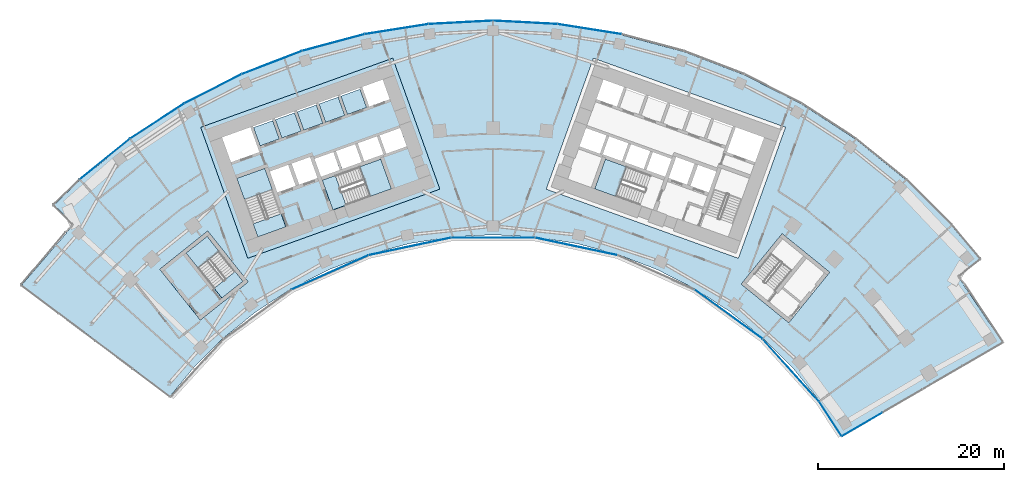
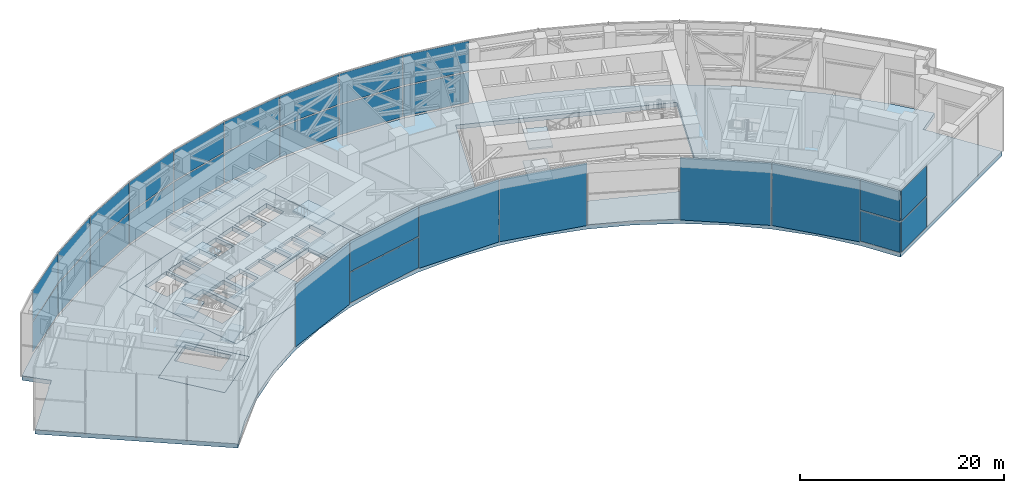
# One storey, part 16 of 30: 29 plates, 19 slabs, 7 elements without a shape of their own.
"""IFC4 building model written with IfcOpenShell, lengths in metres."""

import ifcopenshell
import ifcopenshell.guid

model = None  # the IFC model being written
_history = None  # IfcOwnerHistory: only IFC2X3 demands one
_inside = {}  # id of a spatial element -> (the spatial element, [elements in it])
_under = {}  # id of a project, library or spatial element -> (it, [spatial elements below it])
_declared = {}  # id of a project -> (the project, [libraries it declares])
_typed = {}  # id of a type object -> (the type object, [elements of that type])
_made_of = {}  # id of a material, layer set ... -> (it, [elements and type objects made of it])


def new_model(schema):
    """Start an empty IFC model of exactly this schema.

    Asked for "IFC4X3", IfcOpenShell would pick the latest addendum, in which some entities
    have other attributes; the version numbers below select the first issue.
    IFC2X3 requires an IfcOwnerHistory on every rooted entity: one is made here for all.
    """
    global model, _history
    if schema == "IFC4X3":
        model = ifcopenshell.file(schema_version=(4, 3, 0, 0))
    else:
        model = ifcopenshell.file(schema=schema)
    _inside.clear()
    _under.clear()
    _declared.clear()
    _typed.clear()
    _made_of.clear()
    _history = None
    if model.schema == "IFC2X3":
        org = make("IfcOrganization", Name="unknown")
        user = make(
            "IfcPersonAndOrganization",
            ThePerson=make("IfcPerson", FamilyName="unknown"),
            TheOrganization=org,
        )
        app = make(
            "IfcApplication",
            ApplicationDeveloper=org,
            Version="unknown",
            ApplicationFullName="unknown",
            ApplicationIdentifier="unknown",
        )
        _history = make(
            "IfcOwnerHistory",
            OwningUser=user,
            OwningApplication=app,
            ChangeAction="ADDED",
            CreationDate=0,
        )
    return model


def make(cls, **values):
    """One entity of the class cls with the attributes given. An attribute that is None is left unset."""
    return model.create_entity(
        cls, **{name: value for name, value in values.items() if value is not None}
    )


def rooted(cls, **values):
    """An entity with a GlobalId (a new one), such as an element, a storey or a relation."""
    return make(cls, GlobalId=ifcopenshell.guid.new(), OwnerHistory=_history, **values)


def si_unit(unit_type, name, prefix=None):
    """IfcSIUnit, for example si_unit("LENGTHUNIT", "METRE", prefix="MILLI")."""
    return make("IfcSIUnit", UnitType=unit_type, Prefix=prefix, Name=name)


def assignment(units):
    """IfcUnitAssignment: the units of a project."""
    return None if units is None else make("IfcUnitAssignment", Units=units)


def point(xyz):
    """IfcCartesianPoint."""
    return None if xyz is None else make("IfcCartesianPoint", Coordinates=xyz)


def direction(xyz):
    """IfcDirection."""
    return None if xyz is None else make("IfcDirection", DirectionRatios=xyz)


def frame(location, z_axis=None, x_axis=None):
    """IfcAxis2Placement3D, a coordinate frame: its origin and axes. An axis left out is left unset."""
    return make(
        "IfcAxis2Placement3D",
        Location=point(location),
        Axis=direction(z_axis),
        RefDirection=direction(x_axis),
    )


def frame_2d(location, x_axis=None):
    """IfcAxis2Placement2D, a coordinate frame in the plane: its origin and x axis."""
    return make(
        "IfcAxis2Placement2D", Location=point(location), RefDirection=direction(x_axis)
    )


def origin():
    """The frame at (0, 0, 0) with its axes left unset."""
    return frame((0.0, 0.0, 0.0))


def origin_2d():
    """The frame at (0, 0) in the plane with its x axis left unset."""
    return frame_2d((0.0, 0.0))


def place(relative_to, where):
    """IfcLocalPlacement: puts the frame where relative to a parent placement (None: the world)."""
    return make(
        "IfcLocalPlacement", PlacementRelTo=relative_to, RelativePlacement=where
    )


def context(
    kind, dimensions, precision=None, world=None, true_north=None, identifier=None
):
    """IfcGeometricRepresentationContext, for example the 3D "Model" context."""
    return make(
        "IfcGeometricRepresentationContext",
        ContextIdentifier=identifier,
        ContextType=kind,
        CoordinateSpaceDimension=dimensions,
        Precision=precision,
        WorldCoordinateSystem=world,
        TrueNorth=true_north,
    )


def subcontext(parent, identifier, kind, view, scale=None):
    """IfcGeometricRepresentationSubContext, for example "Body" below "Model"."""
    return make(
        "IfcGeometricRepresentationSubContext",
        ContextIdentifier=identifier,
        ContextType=kind,
        ParentContext=parent,
        TargetScale=scale,
        TargetView=view,
    )


def project(units=None, contexts=None):
    """IfcProject with its units and contexts."""
    return rooted(
        "IfcProject",
        Name="project",
        RepresentationContexts=contexts,
        UnitsInContext=assignment(units),
    )


def spatial(cls, under=None, at=None, **own):
    """A site, building, storey or space (cls), placed at a placement, below another one or the project."""
    s = rooted(cls, ObjectPlacement=at, **own)
    if under is not None:
        _under.setdefault(under.id(), (under, []))[1].append(s)
    return s


def polyline(points):
    """IfcPolyline through the points."""
    return make("IfcPolyline", Points=[point(p) for p in points])


def profile(cls, at=None, kind="AREA", **sizes):
    """A parametric profile (cls). Its sizes go by their IFC names, for example OverallWidth=200.0."""
    return make(cls, ProfileType=kind, Position=at, **sizes)


def rectangle(**sizes):
    """IfcRectangleProfileDef."""
    return profile("IfcRectangleProfileDef", **sizes)


def outline(outer, holes=None, kind="AREA"):
    """IfcArbitraryClosedProfileDef: a profile drawn as a closed curve; with holes, ...WithVoids."""
    if holes is None:
        return make("IfcArbitraryClosedProfileDef", ProfileType=kind, OuterCurve=outer)
    return make(
        "IfcArbitraryProfileDefWithVoids",
        ProfileType=kind,
        OuterCurve=outer,
        InnerCurves=holes,
    )


def extrude(swept, where, along, depth):
    """IfcExtrudedAreaSolid: the profile swept, set in the frame where, extruded along a direction by depth."""
    return make(
        "IfcExtrudedAreaSolid",
        SweptArea=swept,
        Position=where,
        ExtrudedDirection=direction(along),
        Depth=depth,
    )


def shape(context_of_items, identifier, shape_type, items):
    """IfcShapeRepresentation: the items that make up one representation, for example the "Body"."""
    return make(
        "IfcShapeRepresentation",
        ContextOfItems=context_of_items,
        RepresentationIdentifier=identifier,
        RepresentationType=shape_type,
        Items=items,
    )


def material(Name=None, Category=None):
    """IfcMaterial."""
    return make("IfcMaterial", Name=Name, Category=Category)


def layer(
    of_material, thickness, ventilated=None, Name=None, Category=None, Priority=None
):
    """IfcMaterialLayer: one layer of a wall or slab, of a material (None: an air gap)."""
    return make(
        "IfcMaterialLayer",
        Material=of_material,
        LayerThickness=thickness,
        IsVentilated=ventilated,
        Name=Name,
        Category=Category,
        Priority=Priority,
    )


def layer_set(layers, Name=None):
    """IfcMaterialLayerSet."""
    return make("IfcMaterialLayerSet", MaterialLayers=layers, LayerSetName=Name)


def made_of(thing, what):
    """Note that an element or type object is made of a material, layer set ...; save() writes the relation."""
    if what is not None:
        _made_of.setdefault(what.id(), (what, []))[1].append(thing)
    return thing


def type_object(cls, material=None, **own):
    """A type object (cls), such as IfcWallType, which elements share."""
    return made_of(rooted(cls, **own), material)


def element(
    cls,
    number,
    at=None,
    inside=None,
    cuts=None,
    type_object=None,
    material=None,
    context=None,
    identifier="Body",
    shape_type=None,
    held_by="IfcProductDefinitionShape",
    body=None,
    shapes=None,
    **own,
):
    """One element of the class cls, such as IfcWall. Its Tag is "e" and its number.

    at: its placement. inside: the storey or other place that contains it. cuts: it is an
    opening in that element (IfcRelVoidsElement). A single representation is given by context,
    identifier, shape_type and body (its items); several are given by shapes. held_by: the class
    of the entity that holds the representations. save() writes the other relations.
    """
    e = rooted(cls, Tag="e%d" % number, ObjectPlacement=at, **own)
    if body is not None:
        shapes = [shape(context, identifier, shape_type, body)]
    if shapes is not None:
        e.Representation = make(held_by, Representations=shapes)
    if inside is not None:
        _inside.setdefault(inside.id(), (inside, []))[1].append(e)
    if cuts is not None:
        rooted(
            "IfcRelVoidsElement", RelatingBuildingElement=cuts, RelatedOpeningElement=e
        )
    if type_object is not None:
        _typed.setdefault(type_object.id(), (type_object, []))[1].append(e)
    return made_of(e, material)


def aggregate(whole, parts):
    """IfcRelAggregates: a whole, such as a stair, and the parts it consists of."""
    return rooted("IfcRelAggregates", RelatingObject=whole, RelatedObjects=parts)


def save(model, path):
    """Write the relations noted so far, then the file.

    IfcRelAggregates (storeys below a building ...), IfcRelContainedInSpatialStructure (elements
    in a storey), IfcRelDefinesByType, IfcRelAssociatesMaterial and IfcRelDeclares: one each for
    every whole, place, type object, material and project.
    """
    for whole, parts in _under.values():
        aggregate(whole, parts)
    for where, things in _inside.values():
        rooted(
            "IfcRelContainedInSpatialStructure",
            RelatedElements=things,
            RelatingStructure=where,
        )
    for kind, things in _typed.values():
        rooted("IfcRelDefinesByType", RelatedObjects=things, RelatingType=kind)
    for what, things in _made_of.values():
        rooted("IfcRelAssociatesMaterial", RelatedObjects=things, RelatingMaterial=what)
    for by, libraries in _declared.values():
        rooted("IfcRelDeclares", RelatingContext=by, RelatedDefinitions=libraries)
    model.write(path)


model = new_model("IFC4")

# Units and contexts
model_context = context("Model", 3, precision=1e-05, world=origin(), true_north=direction((0.0, 1.0)))
body_context = subcontext(model_context, "Body", "Model", "MODEL_VIEW")
ifc_project = project(units=[si_unit("LENGTHUNIT", "METRE"), si_unit("AREAUNIT", "SQUARE_METRE"), si_unit("VOLUMEUNIT", "CUBIC_METRE"), si_unit("PLANEANGLEUNIT", "RADIAN"), si_unit("MASSUNIT", "GRAM", prefix="KILO")], contexts=[model_context])

# Site, building, storey
site_placement = place(None, origin())
site = spatial("IfcSite", under=ifc_project, at=site_placement, CompositionType="ELEMENT")
building_placement = place(site_placement, origin())
building = spatial("IfcBuilding", under=site, at=building_placement, Name="Stone Belt Terrace Tower", CompositionType="ELEMENT")
storey_placement = place(building_placement, frame((0.0, 0.0, 136.39990234375)))
storey = spatial("IfcBuildingStorey", under=building, at=storey_placement, Name="L33", CompositionType="ELEMENT", Elevation=136.39990234375)

# Curtain wall, plates
ifc_material_1 = material(Name="Aluminium 6063-T6 anodised frame", Category="aluminium")
ifc_layer_1 = layer(ifc_material_1, 0.14990234375)
ifc_layer_set_1 = layer_set([ifc_layer_1], Name="CW-A unitised convex-face curtain wall")
curtain_wall_type_1 = type_object("IfcCurtainWallType", Name="CW-A unitised convex-face curtain wall", PredefinedType="NOTDEFINED", material=ifc_layer_set_1)
curtain_wall_1_placement = place(storey_placement, origin())
curtain_wall_1 = element("IfcCurtainWall", 1, at=curtain_wall_1_placement, inside=storey, type_object=curtain_wall_type_1, Name="CW-A convex face L33", PredefinedType="NOTDEFINED")
ifc_material_2 = material(Name="Terracotta coloured glazed ceramic", Category="masonry")
ifc_layer_2 = layer(ifc_material_2, 0.031982421875)
ifc_layer_set_2 = layer_set([ifc_layer_2], Name="CW-A ceramic louvre panel 32")
plate_type_1 = type_object("IfcPlateType", Name="CW-A ceramic louvre panel 32", PredefinedType="CURTAIN_PANEL", material=ifc_layer_set_2)
plate_1_placement = place(storey_placement, frame((10.400390625, 65.665283203125, 0.14013671875), z_axis=(0.0, 0.0, 1.0), x_axis=(-0.987688340595, 0.15643446504, 0.0)))
plate_1 = element("IfcPlate", 2, at=plate_1_placement, type_object=plate_type_1, Name="CW-A louvre panel 8.1", PredefinedType="CURTAIN_PANEL", context=body_context, shape_type="SweptSolid", body=[
    extrude(rectangle(XDim=6.90087890625, YDim=0.031982421875, at=origin_2d()), origin(), (0.0, 0.0, 1.0), 3.590087890625),
])
plate_2_placement = place(storey_placement, frame((10.400390625, 65.665283203125, 3.8701171875), z_axis=(0.0, 0.0, 1.0), x_axis=(-0.987688340595, 0.15643446504, 0.0)))
plate_2 = element("IfcPlate", 3, at=plate_2_placement, type_object=plate_type_1, Name="CW-A louvre panel 8.2", PredefinedType="CURTAIN_PANEL", context=body_context, shape_type="SweptSolid", body=[
    extrude(rectangle(XDim=6.90087890625, YDim=0.031982421875, at=origin_2d()), origin(), (0.0, 0.0, 1.0), 3.590087890625),
])
plate_3_placement = place(storey_placement, frame((3.4794921875, 66.392822265625, 0.14013671875), z_axis=(0.0, 0.0, 1.0), x_axis=(-0.998629534755, 0.052335956243, 0.0)))
plate_3 = element("IfcPlate", 4, at=plate_3_placement, type_object=plate_type_1, Name="CW-A louvre panel 9.1", PredefinedType="CURTAIN_PANEL", context=body_context, shape_type="SweptSolid", body=[
    extrude(rectangle(XDim=6.90087890625, YDim=0.031982421875, at=origin_2d()), origin(), (0.0, 0.0, 1.0), 3.590087890625),
])
plate_4_placement = place(storey_placement, frame((3.4794921875, 66.392822265625, 3.8701171875), z_axis=(0.0, 0.0, 1.0), x_axis=(-0.998629534755, 0.052335956243, 0.0)))
plate_4 = element("IfcPlate", 5, at=plate_4_placement, type_object=plate_type_1, Name="CW-A louvre panel 9.2", PredefinedType="CURTAIN_PANEL", context=body_context, shape_type="SweptSolid", body=[
    extrude(rectangle(XDim=6.90087890625, YDim=0.031982421875, at=origin_2d()), origin(), (0.0, 0.0, 1.0), 3.590087890625),
])
plate_5_placement = place(storey_placement, frame((-3.4794921875, 66.392822265625, 0.14013671875), z_axis=(0.0, 0.0, 1.0), x_axis=(-0.998629534755, -0.052335956243, 0.0)))
plate_5 = element("IfcPlate", 6, at=plate_5_placement, type_object=plate_type_1, Name="CW-A louvre panel 10.1", PredefinedType="CURTAIN_PANEL", context=body_context, shape_type="SweptSolid", body=[
    extrude(rectangle(XDim=6.90087890625, YDim=0.031982421875, at=origin_2d()), origin(), (0.0, 0.0, 1.0), 3.590087890625),
])
plate_6_placement = place(storey_placement, frame((-3.4794921875, 66.392822265625, 3.8701171875), z_axis=(0.0, 0.0, 1.0), x_axis=(-0.998629534755, -0.052335956243, 0.0)))
plate_6 = element("IfcPlate", 7, at=plate_6_placement, type_object=plate_type_1, Name="CW-A louvre panel 10.2", PredefinedType="CURTAIN_PANEL", context=body_context, shape_type="SweptSolid", body=[
    extrude(rectangle(XDim=6.90087890625, YDim=0.031982421875, at=origin_2d()), origin(), (0.0, 0.0, 1.0), 3.590087890625),
])
plate_7_placement = place(storey_placement, frame((-10.400390625, 65.665283203125, 0.14013671875), z_axis=(0.0, 0.0, 1.0), x_axis=(-0.987688340595, -0.15643446504, 0.0)))
plate_7 = element("IfcPlate", 8, at=plate_7_placement, type_object=plate_type_1, Name="CW-A louvre panel 11.1", PredefinedType="CURTAIN_PANEL", context=body_context, shape_type="SweptSolid", body=[
    extrude(rectangle(XDim=6.90087890625, YDim=0.031982421875, at=origin_2d()), origin(), (0.0, 0.0, 1.0), 3.590087890625),
])
plate_8_placement = place(storey_placement, frame((-10.400390625, 65.665283203125, 3.8701171875), z_axis=(0.0, 0.0, 1.0), x_axis=(-0.987688340595, -0.15643446504, 0.0)))
plate_8 = element("IfcPlate", 9, at=plate_8_placement, type_object=plate_type_1, Name="CW-A louvre panel 11.2", PredefinedType="CURTAIN_PANEL", context=body_context, shape_type="SweptSolid", body=[
    extrude(rectangle(XDim=6.90087890625, YDim=0.031982421875, at=origin_2d()), origin(), (0.0, 0.0, 1.0), 3.590087890625),
])
plate_9_placement = place(storey_placement, frame((-17.207275390625, 64.218505859375, 0.14013671875), z_axis=(0.0, 0.0, 1.0), x_axis=(-0.965925826289, -0.258819045103, 0.0)))
plate_9 = element("IfcPlate", 10, at=plate_9_placement, type_object=plate_type_1, Name="CW-A louvre panel 12.1", PredefinedType="CURTAIN_PANEL", context=body_context, shape_type="SweptSolid", body=[
    extrude(rectangle(XDim=6.90087890625, YDim=0.031982421875, at=origin_2d()), origin(), (0.0, 0.0, 1.0), 3.590087890625),
])
plate_10_placement = place(storey_placement, frame((-17.207275390625, 64.218505859375, 3.8701171875), z_axis=(0.0, 0.0, 1.0), x_axis=(-0.965925826289, -0.258819045103, 0.0)))
plate_10 = element("IfcPlate", 11, at=plate_10_placement, type_object=plate_type_1, Name="CW-A louvre panel 12.2", PredefinedType="CURTAIN_PANEL", context=body_context, shape_type="SweptSolid", body=[
    extrude(rectangle(XDim=6.90087890625, YDim=0.031982421875, at=origin_2d()), origin(), (0.0, 0.0, 1.0), 3.590087890625),
])
plate_11_placement = place(storey_placement, frame((-23.82568359375, 62.068115234375, 0.14013671875), z_axis=(0.0, 0.0, 1.0), x_axis=(-0.933580426497, -0.358367949545, 0.0)))
plate_11 = element("IfcPlate", 12, at=plate_11_placement, type_object=plate_type_1, Name="CW-A louvre panel 13.1", PredefinedType="CURTAIN_PANEL", context=body_context, shape_type="SweptSolid", body=[
    extrude(rectangle(XDim=6.90087890625, YDim=0.031982421875, at=origin_2d()), origin(), (0.0, 0.0, 1.0), 3.590087890625),
])
plate_12_placement = place(storey_placement, frame((-23.82568359375, 62.068115234375, 3.8701171875), z_axis=(0.0, 0.0, 1.0), x_axis=(-0.933580426497, -0.358367949545, 0.0)))
plate_12 = element("IfcPlate", 13, at=plate_12_placement, type_object=plate_type_1, Name="CW-A louvre panel 13.2", PredefinedType="CURTAIN_PANEL", context=body_context, shape_type="SweptSolid", body=[
    extrude(rectangle(XDim=6.90087890625, YDim=0.031982421875, at=origin_2d()), origin(), (0.0, 0.0, 1.0), 3.590087890625),
])
plate_13_placement = place(storey_placement, frame((-30.18310546875, 59.237548828125, 0.14013671875), z_axis=(0.0, 0.0, 1.0), x_axis=(-0.891006524188, -0.45399049974, 0.0)))
plate_13 = element("IfcPlate", 14, at=plate_13_placement, type_object=plate_type_1, Name="CW-A louvre panel 14.1", PredefinedType="CURTAIN_PANEL", context=body_context, shape_type="SweptSolid", body=[
    extrude(rectangle(XDim=6.90087890625, YDim=0.031982421875, at=origin_2d()), origin(), (0.0, 0.0, 1.0), 3.590087890625),
])
plate_14_placement = place(storey_placement, frame((-30.18310546875, 59.237548828125, 3.8701171875), z_axis=(0.0, 0.0, 1.0), x_axis=(-0.891006524188, -0.45399049974, 0.0)))
plate_14 = element("IfcPlate", 15, at=plate_14_placement, type_object=plate_type_1, Name="CW-A louvre panel 14.2", PredefinedType="CURTAIN_PANEL", context=body_context, shape_type="SweptSolid", body=[
    extrude(rectangle(XDim=6.90087890625, YDim=0.031982421875, at=origin_2d()), origin(), (0.0, 0.0, 1.0), 3.590087890625),
])
plate_15_placement = place(storey_placement, frame((-36.209716796875, 55.758056640625, 0.14013671875), z_axis=(0.0, 0.0, 1.0), x_axis=(-0.838670567945, -0.544639035015, 0.0)))
plate_15 = element("IfcPlate", 16, at=plate_15_placement, type_object=plate_type_1, Name="CW-A louvre panel 15.1", PredefinedType="CURTAIN_PANEL", context=body_context, shape_type="SweptSolid", body=[
    extrude(rectangle(XDim=6.90087890625, YDim=0.031982421875, at=origin_2d()), origin(), (0.0, 0.0, 1.0), 3.590087890625),
])
plate_16_placement = place(storey_placement, frame((-36.209716796875, 55.758056640625, 3.8701171875), z_axis=(0.0, 0.0, 1.0), x_axis=(-0.838670567945, -0.544639035015, 0.0)))
plate_16 = element("IfcPlate", 17, at=plate_16_placement, type_object=plate_type_1, Name="CW-A louvre panel 15.2", PredefinedType="CURTAIN_PANEL", context=body_context, shape_type="SweptSolid", body=[
    extrude(rectangle(XDim=6.90087890625, YDim=0.031982421875, at=origin_2d()), origin(), (0.0, 0.0, 1.0), 3.590087890625),
])
plate_17_placement = place(storey_placement, frame((-41.839599609375, 51.667724609375, 0.14013671875), z_axis=(0.0, 0.0, 1.0), x_axis=(-0.777145961457, -0.62932039105, 0.0)))
plate_17 = element("IfcPlate", 18, at=plate_17_placement, type_object=plate_type_1, Name="CW-A louvre panel 16.1", PredefinedType="CURTAIN_PANEL", context=body_context, shape_type="SweptSolid", body=[
    extrude(rectangle(XDim=6.900634765625, YDim=0.031982421875, at=origin_2d()), origin(), (0.0, 0.0, 1.0), 3.590087890625),
])
plate_18_placement = place(storey_placement, frame((-41.839599609375, 51.667724609375, 3.8701171875), z_axis=(0.0, 0.0, 1.0), x_axis=(-0.777145961457, -0.62932039105, 0.0)))
plate_18 = element("IfcPlate", 19, at=plate_18_placement, type_object=plate_type_1, Name="CW-A louvre panel 16.2", PredefinedType="CURTAIN_PANEL", context=body_context, shape_type="SweptSolid", body=[
    extrude(rectangle(XDim=6.900634765625, YDim=0.031982421875, at=origin_2d()), origin(), (0.0, 0.0, 1.0), 3.590087890625),
])
aggregate(curtain_wall_1, [plate_1, plate_2, plate_3, plate_4, plate_5, plate_6, plate_7, plate_8, plate_9, plate_10, plate_11, plate_12, plate_13, plate_14, plate_15, plate_16, plate_17, plate_18])

ifc_layer_3 = layer(ifc_material_1, 0.14990234375)
ifc_layer_set_3 = layer_set([ifc_layer_3], Name="CW-B unitised concave-face curtain wall")
curtain_wall_type_2 = type_object("IfcCurtainWallType", Name="CW-B unitised concave-face curtain wall", PredefinedType="NOTDEFINED", material=ifc_layer_set_3)
curtain_wall_2_placement = place(storey_placement, origin())
curtain_wall_2 = element("IfcCurtainWall", 20, at=curtain_wall_2_placement, inside=storey, type_object=curtain_wall_type_2, Name="CW-B concave face L33", PredefinedType="NOTDEFINED")
ifc_layer_4 = layer(ifc_material_2, 0.030029296875)
ifc_layer_set_4 = layer_set([ifc_layer_4], Name="CW-B ceramic louvre panel 30")
plate_type_2 = type_object("IfcPlateType", Name="CW-B ceramic louvre panel 30", PredefinedType="CURTAIN_PANEL", material=ifc_layer_set_4)
plate_19_placement = place(storey_placement, frame((-17.565673828125, 39.453125, 0.0), z_axis=(0.0, 0.0, 1.0), x_axis=(0.913545457643, 0.406736643076, 0.0)))
plate_19 = element("IfcPlate", 21, at=plate_19_placement, type_object=plate_type_2, Name="CW-B louvre panel 3.1", PredefinedType="CURTAIN_PANEL", context=body_context, shape_type="SweptSolid", body=[
    extrude(rectangle(XDim=9.0126953125, YDim=0.030029296875, at=origin_2d()), origin(), (0.0, 0.0, 1.0), 7.47998046875),
])
plate_20_placement = place(storey_placement, frame((-8.97900390625, 42.242919921875, 0.1201171875), z_axis=(0.0, 0.0, 1.0), x_axis=(0.978147600734, 0.207911690818, 0.0)))
plate_20 = element("IfcPlate", 22, at=plate_20_placement, type_object=plate_type_2, Name="CW-B louvre panel 4.1", PredefinedType="CURTAIN_PANEL", context=body_context, shape_type="SweptSolid", body=[
    extrude(rectangle(XDim=9.0126953125, YDim=0.030029296875, at=origin_2d()), origin(), (0.0, 0.0, 1.0), 3.6201171875),
])
plate_21_placement = place(storey_placement, frame((-8.97900390625, 42.242919921875, 3.860107421875), z_axis=(0.0, 0.0, 1.0), x_axis=(0.978147600734, 0.207911690818, 0.0)))
plate_21 = element("IfcPlate", 23, at=plate_21_placement, type_object=plate_type_2, Name="CW-B louvre panel 4.2", PredefinedType="CURTAIN_PANEL", context=body_context, shape_type="SweptSolid", body=[
    extrude(rectangle(XDim=9.0126953125, YDim=0.030029296875, at=origin_2d()), origin(), (0.0, 0.0, 1.0), 3.6201171875),
])
plate_22_placement = place(storey_placement, frame((0.0, 43.186767578125, 0.0), z_axis=(0.0, 0.0, 1.0), x_axis=(1.0, 0.0, 0.0)))
plate_22 = element("IfcPlate", 24, at=plate_22_placement, type_object=plate_type_2, Name="CW-B louvre panel 5.1", PredefinedType="CURTAIN_PANEL", context=body_context, shape_type="SweptSolid", body=[
    extrude(rectangle(XDim=9.0126953125, YDim=0.030029296875, at=origin_2d()), origin(), (0.0, 0.0, 1.0), 7.47998046875),
])
plate_23_placement = place(storey_placement, frame((8.97900390625, 42.242919921875, 0.0), z_axis=(0.0, 0.0, 1.0), x_axis=(0.978147600734, -0.207911690818, 0.0)))
plate_23 = element("IfcPlate", 25, at=plate_23_placement, type_object=plate_type_2, Name="CW-B louvre panel 6.1", PredefinedType="CURTAIN_PANEL", context=body_context, shape_type="SweptSolid", body=[
    extrude(rectangle(XDim=9.0126953125, YDim=0.030029296875, at=origin_2d()), origin(), (0.0, 0.0, 1.0), 7.47998046875),
])
plate_24_placement = place(storey_placement, frame((25.384521484375, 34.938720703125, 0.0), z_axis=(0.0, 0.0, 1.0), x_axis=(0.809016994375, -0.587785252292, 0.0)))
plate_24 = element("IfcPlate", 26, at=plate_24_placement, type_object=plate_type_2, Name="CW-B louvre panel 8.1", PredefinedType="CURTAIN_PANEL", context=body_context, shape_type="SweptSolid", body=[
    extrude(rectangle(XDim=9.0126953125, YDim=0.030029296875, at=origin_2d()), origin(), (0.0, 0.0, 1.0), 7.47998046875),
])
plate_25_placement = place(storey_placement, frame((32.09521484375, 28.89599609375, 0.0), z_axis=(0.0, 0.0, 1.0), x_axis=(0.669130606359, -0.743144825477, 0.0)))
plate_25 = element("IfcPlate", 27, at=plate_25_placement, type_object=plate_type_2, Name="CW-B louvre panel 9.1", PredefinedType="CURTAIN_PANEL", context=body_context, shape_type="SweptSolid", body=[
    extrude(rectangle(XDim=9.016845703125, YDim=0.030029296875, at=origin_2d()), origin(), (0.0, 0.0, 1.0), 7.47998046875),
])
plate_26_placement = place(storey_placement, frame((36.3408203125, 23.66943359375, 0.1201171875), z_axis=(0.0, 0.0, 1.0), x_axis=(0.546131502436, -0.837699458068, 0.0)))
plate_26 = element("IfcPlate", 28, at=plate_26_placement, type_object=plate_type_2, Name="CW-B louvre panel 10.1", PredefinedType="CURTAIN_PANEL", context=body_context, shape_type="SweptSolid", body=[
    extrude(rectangle(XDim=4.363525390625, YDim=0.030029296875, at=origin_2d()), origin(), (0.0, 0.0, 1.0), 3.6201171875),
])
plate_27_placement = place(storey_placement, frame((36.3408203125, 23.66943359375, 3.860107421875), z_axis=(0.0, 0.0, 1.0), x_axis=(0.546131502436, -0.837699458068, 0.0)))
plate_27 = element("IfcPlate", 29, at=plate_27_placement, type_object=plate_type_2, Name="CW-B louvre panel 10.2", PredefinedType="CURTAIN_PANEL", context=body_context, shape_type="SweptSolid", body=[
    extrude(rectangle(XDim=4.363525390625, YDim=0.030029296875, at=origin_2d()), origin(), (0.0, 0.0, 1.0), 3.6201171875),
])
aggregate(curtain_wall_2, [plate_19, plate_20, plate_21, plate_22, plate_23, plate_24, plate_25, plate_26, plate_27])

ifc_layer_5 = layer(ifc_material_1, 0.14990234375)
ifc_layer_set_5 = layer_set([ifc_layer_5], Name="CW-C stick curtain wall, horn ends and notches")
curtain_wall_type_3 = type_object("IfcCurtainWallType", Name="CW-C stick curtain wall, horn ends and notches", PredefinedType="NOTDEFINED", material=ifc_layer_set_5)
curtain_wall_3_placement = place(storey_placement, origin())
curtain_wall_3 = element("IfcCurtainWall", 30, at=curtain_wall_3_placement, inside=storey, type_object=curtain_wall_type_3, Name="CW-C end face L33", PredefinedType="NOTDEFINED")
ifc_layer_6 = layer(ifc_material_2, 0.028076171875)
ifc_layer_set_6 = layer_set([ifc_layer_6], Name="CW-C ceramic louvre panel 28")
plate_type_3 = type_object("IfcPlateType", Name="CW-C ceramic louvre panel 28", PredefinedType="CURTAIN_PANEL", material=ifc_layer_set_6)
plate_28_placement = place(storey_placement, frame((39.78076171875, 23.06982421875, 0.1201171875), z_axis=(0.0, 0.0, 1.0), x_axis=(0.864239322284, 0.503080901861, 0.0)))
plate_28 = element("IfcPlate", 31, at=plate_28_placement, type_object=plate_type_3, Name="CW-C louvre panel 1.1", PredefinedType="CURTAIN_PANEL", context=body_context, shape_type="SweptSolid", body=[
    extrude(rectangle(XDim=4.9677734375, YDim=0.028076171875, at=origin_2d()), origin(), (0.0, 0.0, 1.0), 3.6201171875),
])
plate_29_placement = place(storey_placement, frame((39.78076171875, 23.06982421875, 3.860107421875), z_axis=(0.0, 0.0, 1.0), x_axis=(0.864239322284, 0.503080901861, 0.0)))
plate_29 = element("IfcPlate", 32, at=plate_29_placement, type_object=plate_type_3, Name="CW-C louvre panel 1.2", PredefinedType="CURTAIN_PANEL", context=body_context, shape_type="SweptSolid", body=[
    extrude(rectangle(XDim=4.9677734375, YDim=0.028076171875, at=origin_2d()), origin(), (0.0, 0.0, 1.0), 3.6201171875),
])
aggregate(curtain_wall_3, [plate_28, plate_29])

# Slabs
ifc_material_3 = material(Name="Concrete B40", Category="concrete")
ifc_layer_7 = layer(ifc_material_3, 0.5)
ifc_layer_set_7 = layer_set([ifc_layer_7], Name="Core floor slab 500")
slab_type_1 = type_object("IfcSlabType", Name="Core floor slab 500", PredefinedType="FLOOR", material=ifc_layer_set_7)
slab_1_placement = place(storey_placement, frame((0.0, 0.0, -0.5)))
element("IfcSlab", 33, at=slab_1_placement, inside=storey, type_object=slab_type_1, Name="Core A floor L33", PredefinedType="FLOOR", context=body_context, shape_type="SweptSolid", body=[
    extrude(outline(polyline([(-26.43505859375, 40.968994140625), (-5.735107421875, 48.4189453125), (-10.81396484375, 62.531982421875), (-31.513916015625, 55.0830078125), (-26.43505859375, 40.968994140625)]), holes=[polyline([(-24.60791015625, 50.659912109375), (-22.847900390625, 45.76806640625), (-25.85888671875, 44.68408203125), (-27.618896484375, 49.575927734375), (-24.60791015625, 50.659912109375)]), polyline([(-21.27392578125, 48.778076171875), (-23.25, 48.06689453125), (-24.06298828125, 50.324951171875), (-22.0869140625, 51.035888671875), (-21.27392578125, 48.778076171875)]), polyline([(-18.922119140625, 49.6240234375), (-20.89794921875, 48.9130859375), (-21.7109375, 51.1708984375), (-19.735107421875, 51.883056640625), (-18.922119140625, 49.6240234375)]), polyline([(-19.239990234375, 51.68896484375), (-17.217041015625, 52.4169921875), (-16.52294921875, 50.488037109375), (-18.5458984375, 49.760009765625), (-19.239990234375, 51.68896484375)]), polyline([(-29.2109375, 53.9990234375), (-26.153076171875, 55.09912109375), (-25.18798828125, 52.41796875), (-28.24609375, 51.31689453125), (-29.2109375, 53.9990234375)]), polyline([(-23.801025390625, 55.946044921875), (-23.0390625, 53.8291015625), (-25.10888671875, 53.083984375), (-25.87109375, 55.200927734375), (-23.801025390625, 55.946044921875)]), polyline([(-21.447998046875, 56.7919921875), (-20.68603515625, 54.675048828125), (-22.756103515625, 53.929931640625), (-23.51806640625, 56.047119140625), (-21.447998046875, 56.7919921875)]), polyline([(-19.095947265625, 57.638916015625), (-18.333984375, 55.52197265625), (-20.404052734375, 54.777099609375), (-21.166015625, 56.89404296875), (-19.095947265625, 57.638916015625)]), polyline([(-15.846923828125, 46.69189453125), (-16.998046875, 49.89208984375), (-12.10595703125, 51.652099609375), (-10.955078125, 48.452880859375), (-15.846923828125, 46.69189453125)]), polyline([(-16.239990234375, 50.589111328125), (-16.93408203125, 52.51806640625), (-14.864013671875, 53.262939453125), (-14.169921875, 51.333984375), (-16.239990234375, 50.589111328125)]), polyline([(-11.847900390625, 52.116943359375), (-11.864990234375, 52.1640625), (-13.887939453125, 51.43603515625), (-14.58203125, 53.364990234375), (-12.511962890625, 54.110107421875), (-11.801025390625, 52.134033203125), (-11.847900390625, 52.116943359375)]), polyline([(-9.30810546875, 53.031005859375), (-11.51904296875, 52.235107421875), (-12.22998046875, 54.2109375), (-10.01904296875, 55.007080078125), (-9.30810546875, 53.031005859375)]), polyline([(-16.743896484375, 58.485107421875), (-15.98193359375, 56.367919921875), (-18.052001953125, 55.623046875), (-18.81396484375, 57.739990234375), (-16.743896484375, 58.485107421875)]), polyline([(-14.39111328125, 59.33203125), (-13.6298828125, 57.215087890625), (-15.699951171875, 56.469970703125), (-16.4609375, 58.5869140625), (-14.39111328125, 59.33203125)]), polyline([(-11.89794921875, 60.22900390625), (-11.135986328125, 58.112060546875), (-13.346923828125, 57.31591796875), (-14.10888671875, 59.43408203125), (-11.89794921875, 60.22900390625)])]), origin(), (0.0, 0.0, 1.0), 0.5),
])
slab_2_placement = place(storey_placement, frame((0.0, 0.0, -0.5)))
element("IfcSlab", 34, at=slab_2_placement, inside=storey, type_object=slab_type_1, Name="Exit stair ST3A floor L33", PredefinedType="FLOOR", context=body_context, shape_type="SweptSolid", body=[
    extrude(outline(polyline([(-26.39404296875, 38.425048828125), (-30.756103515625, 43.89990234375), (-35.91796875, 39.787109375), (-31.555908203125, 34.31298828125), (-26.39404296875, 38.425048828125)]), holes=[polyline([(-27.798095703125, 39.544921875), (-30.06591796875, 37.738037109375), (-33.087890625, 41.531005859375), (-30.820068359375, 43.337890625), (-27.798095703125, 39.544921875)])]), origin(), (0.0, 0.0, 1.0), 0.5),
])
ifc_material_4 = material(Name="Concrete B60", Category="concrete")
ifc_layer_8 = layer(ifc_material_4, 0.5)
ifc_layer_set_8 = layer_set([ifc_layer_8], Name="Floor slab 500 B60")
slab_type_2 = type_object("IfcSlabType", Name="Floor slab 500 B60", PredefinedType="FLOOR", material=ifc_layer_set_8)
slab_3_placement = place(storey_placement, frame((0.0, 0.0, -0.5)))
element("IfcSlab", 35, at=slab_3_placement, inside=storey, type_object=slab_type_2, Name="Floor slab L33", PredefinedType="FLOOR", context=body_context, shape_type="SweptSolid", body=[
    extrude(outline(polyline([(-45.981201171875, 43.693115234375), (-46.031982421875, 43.7412109375), (-45.587646484375, 44.149658203125), (-45.19384765625, 44.606689453125), (-47.328857421875, 46.714111328125), (-44.497314453125, 49.419189453125), (-41.52880859375, 51.82275390625), (-41.585205078125, 51.893310546875), (-39.087646484375, 53.799560546875), (-33.25, 57.5908203125), (-27.048095703125, 60.750732421875), (-20.549560546875, 63.245361328125), (-13.826171875, 65.046875), (-6.951171875, 66.1357421875), (0.0, 66.5), (6.951171875, 66.1357421875), (13.826171875, 65.046875), (20.549560546875, 63.245361328125), (27.048095703125, 60.750732421875), (33.25, 57.5908203125), (39.087646484375, 53.799560546875), (44.497314453125, 49.419189453125), (47.328857421875, 46.714111328125), (47.26513671875, 46.651123046875), (49.419189453125, 44.497314453125), (52.4326171875, 40.9033203125), (50.067138671875, 39.05810546875), (50.4052734375, 38.558349609375), (50.799072265625, 38.10107421875), (50.742919921875, 38.05908203125), (54.879150390625, 31.945556640625), (37.594482421875, 21.884033203125), (35.192138671875, 25.568603515625), (32.326904296875, 29.107177734375), (29.107177734375, 32.326904296875), (25.568603515625, 35.192138671875), (21.75, 37.672119140625), (17.693115234375, 39.7392578125), (13.442138671875, 41.37109375), (9.044189453125, 42.54931640625), (4.547119140625, 43.26171875), (0.0, 43.5), (-4.547119140625, 43.26171875), (-9.044189453125, 42.54931640625), (-13.442138671875, 41.37109375), (-17.693115234375, 39.7392578125), (-21.75, 37.672119140625), (-25.568603515625, 35.192138671875), (-29.107177734375, 32.326904296875), (-32.326904296875, 29.107177734375), (-34.79931640625, 26.100830078125), (-50.799072265625, 38.10107421875), (-45.981201171875, 43.693115234375)]), holes=[polyline([(-26.434814453125, 40.968994140625), (-5.734619140625, 48.418701171875), (-10.81396484375, 62.532470703125), (-31.51416015625, 55.082763671875), (-26.434814453125, 40.968994140625)]), polyline([(10.81396484375, 62.532470703125), (5.734619140625, 48.418701171875), (26.434814453125, 40.968994140625), (31.51416015625, 55.082763671875), (10.81396484375, 62.532470703125)]), polyline([(-35.91796875, 39.787353515625), (-31.55615234375, 34.3125), (-26.39404296875, 38.425048828125), (-30.756103515625, 43.89990234375), (-35.91796875, 39.787353515625)]), polyline([(36.2783203125, 39.459228515625), (31.15380859375, 43.61865234375), (26.742431640625, 38.18359375), (31.86669921875, 34.024169921875), (36.2783203125, 39.459228515625)])]), origin(), (0.0, 0.0, 1.0), 0.5),
])
ifc_layer_9 = layer(ifc_material_3, 0.300048828125)
ifc_layer_set_9 = layer_set([ifc_layer_9], Name="Lift pit floor 300")
slab_type_3 = type_object("IfcSlabType", Name="Lift pit floor 300", PredefinedType="FLOOR", material=ifc_layer_set_9)
slab_4_placement = place(storey_placement, frame((0.0, 0.0, 5.5)))
element("IfcSlab", 36, at=slab_4_placement, inside=storey, type_object=slab_type_3, Name="Lift MR pit floor N0", PredefinedType="FLOOR", context=body_context, shape_type="SweptSolid", body=[
    extrude(outline(polyline([(-25.10888671875, 53.083740234375), (-23.038818359375, 53.82861328125), (-23.75, 55.804443359375), (-25.81982421875, 55.0595703125), (-25.10888671875, 53.083740234375)])), origin(), (0.0, 0.0, 1.0), 0.300048828125),
])
slab_5_placement = place(storey_placement, frame((0.0, 0.0, 5.5)))
element("IfcSlab", 37, at=slab_5_placement, inside=storey, type_object=slab_type_3, Name="Lift MR pit floor N1", PredefinedType="FLOOR", context=body_context, shape_type="SweptSolid", body=[
    extrude(outline(polyline([(-22.756591796875, 53.93017578125), (-20.6865234375, 54.67529296875), (-21.397705078125, 56.651123046875), (-23.467529296875, 55.90625), (-22.756591796875, 53.93017578125)])), origin(), (0.0, 0.0, 1.0), 0.300048828125),
])
slab_6_placement = place(storey_placement, frame((0.0, 0.0, 5.5)))
element("IfcSlab", 38, at=slab_6_placement, inside=storey, type_object=slab_type_3, Name="Lift MR pit floor N2", PredefinedType="FLOOR", context=body_context, shape_type="SweptSolid", body=[
    extrude(outline(polyline([(-20.404296875, 54.77685546875), (-18.334228515625, 55.521728515625), (-19.045166015625, 57.49755859375), (-21.115234375, 56.752685546875), (-20.404296875, 54.77685546875)])), origin(), (0.0, 0.0, 1.0), 0.300048828125),
])
slab_7_placement = place(storey_placement, frame((0.0, 0.0, 5.5)))
element("IfcSlab", 39, at=slab_7_placement, inside=storey, type_object=slab_type_3, Name="Lift MR pit floor N3", PredefinedType="FLOOR", context=body_context, shape_type="SweptSolid", body=[
    extrude(outline(polyline([(-18.052001953125, 55.623291015625), (-15.98193359375, 56.368408203125), (-16.69287109375, 58.34423828125), (-18.762939453125, 57.599365234375), (-18.052001953125, 55.623291015625)])), origin(), (0.0, 0.0, 1.0), 0.300048828125),
])
slab_8_placement = place(storey_placement, frame((0.0, 0.0, 5.5)))
element("IfcSlab", 40, at=slab_8_placement, inside=storey, type_object=slab_type_3, Name="Lift MR pit floor N4", PredefinedType="FLOOR", context=body_context, shape_type="SweptSolid", body=[
    extrude(outline(polyline([(-15.69970703125, 56.469970703125), (-13.629638671875, 57.21484375), (-14.340576171875, 59.190673828125), (-16.41064453125, 58.44580078125), (-15.69970703125, 56.469970703125)])), origin(), (0.0, 0.0, 1.0), 0.300048828125),
])

# Stair, slabs
stair_type = type_object("IfcStairType", Name="Exit stair 1500", PredefinedType="HALF_TURN_STAIR", material=ifc_material_3)
stair_1_placement = place(storey_placement, origin())
stair_1 = element("IfcStair", 41, at=stair_1_placement, inside=storey, type_object=stair_type, Name="L33 Exit stair 1 core A", PredefinedType="HALF_TURN_STAIR")
ifc_layer_10 = layer(ifc_material_3, 0.199951171875)
ifc_layer_set_10 = layer_set([ifc_layer_10], Name="Stair landing 200")
slab_type_4 = type_object("IfcSlabType", Name="Stair landing 200", PredefinedType="LANDING", material=ifc_layer_set_10)
slab_9_placement = place(storey_placement, frame((0.0, 0.0, 1.7001953125)))
slab_9 = element("IfcSlab", 42, at=slab_9_placement, type_object=slab_type_4, Name="ST1A landing 1", PredefinedType="LANDING", context=body_context, shape_type="SweptSolid", body=[
    extrude(outline(polyline([(-23.79541015625, 48.40087890625), (-24.6083984375, 50.659912109375), (-27.619384765625, 49.576171875), (-26.806396484375, 47.3173828125), (-23.79541015625, 48.40087890625)])), origin(), (0.0, 0.0, 1.0), 0.199951171875),
])
slab_10_placement = place(storey_placement, frame((0.0, 0.0, 3.60009765625)))
slab_10 = element("IfcSlab", 43, at=slab_10_placement, type_object=slab_type_4, Name="ST1A landing 2", PredefinedType="LANDING", context=body_context, shape_type="SweptSolid", body=[
    extrude(outline(polyline([(-22.339599609375, 44.355712890625), (-22.847900390625, 45.767822265625), (-25.85888671875, 44.684326171875), (-25.3505859375, 43.27197265625), (-22.339599609375, 44.355712890625)])), origin(), (0.0, 0.0, 1.0), 0.199951171875),
])
slab_11_placement = place(storey_placement, frame((0.0, 0.0, 5.5)))
slab_11 = element("IfcSlab", 44, at=slab_11_placement, type_object=slab_type_4, Name="ST1A landing 3", PredefinedType="LANDING", context=body_context, shape_type="SweptSolid", body=[
    extrude(outline(polyline([(-23.79541015625, 48.40087890625), (-24.6083984375, 50.659912109375), (-27.619384765625, 49.576171875), (-26.806396484375, 47.3173828125), (-23.79541015625, 48.40087890625)])), origin(), (0.0, 0.0, 1.0), 0.2001953125),
])
aggregate(stair_1, [slab_9, slab_10, slab_11])

stair_2_placement = place(storey_placement, origin())
stair_2 = element("IfcStair", 45, at=stair_2_placement, inside=storey, type_object=stair_type, Name="L33 Exit stair 2 core A", PredefinedType="HALF_TURN_STAIR")
slab_12_placement = place(storey_placement, frame((0.0, 0.0, 1.7001953125)))
slab_12 = element("IfcSlab", 46, at=slab_12_placement, type_object=slab_type_4, Name="ST2A landing 1", PredefinedType="LANDING", context=body_context, shape_type="SweptSolid", body=[
    extrude(outline(polyline([(-13.213623046875, 47.64013671875), (-10.95458984375, 48.453125), (-12.10595703125, 51.652099609375), (-14.36474609375, 50.839111328125), (-13.213623046875, 47.64013671875)])), origin(), (0.0, 0.0, 1.0), 0.199951171875),
])
slab_13_placement = place(storey_placement, frame((0.0, 0.0, 3.60009765625)))
slab_13 = element("IfcSlab", 47, at=slab_13_placement, type_object=slab_type_4, Name="ST2A landing 2", PredefinedType="LANDING", context=body_context, shape_type="SweptSolid", body=[
    extrude(outline(polyline([(-17.2587890625, 46.184326171875), (-15.8466796875, 46.6923828125), (-16.997802734375, 49.8916015625), (-18.41015625, 49.38330078125), (-17.2587890625, 46.184326171875)])), origin(), (0.0, 0.0, 1.0), 0.199951171875),
])
slab_14_placement = place(storey_placement, frame((0.0, 0.0, 5.5)))
slab_14 = element("IfcSlab", 48, at=slab_14_placement, type_object=slab_type_4, Name="ST2A landing 3", PredefinedType="LANDING", context=body_context, shape_type="SweptSolid", body=[
    extrude(outline(polyline([(-13.213623046875, 47.64013671875), (-10.95458984375, 48.453125), (-12.10595703125, 51.652099609375), (-14.36474609375, 50.839111328125), (-13.213623046875, 47.64013671875)])), origin(), (0.0, 0.0, 1.0), 0.2001953125),
])
aggregate(stair_2, [slab_12, slab_13, slab_14])

stair_3_placement = place(storey_placement, origin())
stair_3 = element("IfcStair", 49, at=stair_3_placement, inside=storey, type_object=stair_type, Name="L33 Exit stair 2 core B", PredefinedType="HALF_TURN_STAIR")
slab_15_placement = place(storey_placement, frame((0.0, 0.0, 1.7001953125)))
slab_15 = element("IfcSlab", 50, at=slab_15_placement, type_object=slab_type_4, Name="ST2B landing 1", PredefinedType="LANDING", context=body_context, shape_type="SweptSolid", body=[
    extrude(outline(polyline([(14.36474609375, 50.839111328125), (12.10595703125, 51.652099609375), (10.95458984375, 48.453125), (13.213623046875, 47.64013671875), (14.36474609375, 50.839111328125)])), origin(), (0.0, 0.0, 1.0), 0.199951171875),
])
slab_16_placement = place(storey_placement, frame((0.0, 0.0, 5.5)))
slab_16 = element("IfcSlab", 51, at=slab_16_placement, type_object=slab_type_4, Name="ST2B landing 3", PredefinedType="LANDING", context=body_context, shape_type="SweptSolid", body=[
    extrude(outline(polyline([(14.36474609375, 50.839111328125), (12.10595703125, 51.652099609375), (10.95458984375, 48.453125), (13.213623046875, 47.64013671875), (14.36474609375, 50.839111328125)])), origin(), (0.0, 0.0, 1.0), 0.2001953125),
])
aggregate(stair_3, [slab_15, slab_16])

stair_4_placement = place(storey_placement, origin())
stair_4 = element("IfcStair", 52, at=stair_4_placement, inside=storey, type_object=stair_type, Name="L33 Exit stair 3A", PredefinedType="HALF_TURN_STAIR")
slab_17_placement = place(storey_placement, frame((0.0, 0.0, 1.7001953125)))
slab_17 = element("IfcSlab", 53, at=slab_17_placement, type_object=slab_type_4, Name="ST3A landing 1", PredefinedType="LANDING", context=body_context, shape_type="SweptSolid", body=[
    extrude(outline(polyline([(-29.541748046875, 41.73388671875), (-30.819580078125, 43.337890625), (-33.087646484375, 41.53076171875), (-31.809814453125, 39.9267578125), (-29.541748046875, 41.73388671875)])), origin(), (0.0, 0.0, 1.0), 0.199951171875),
])
slab_18_placement = place(storey_placement, frame((0.0, 0.0, 3.60009765625)))
slab_18 = element("IfcSlab", 54, at=slab_18_placement, type_object=slab_type_4, Name="ST3A landing 2", PredefinedType="LANDING", context=body_context, shape_type="SweptSolid", body=[
    extrude(outline(polyline([(-26.956298828125, 38.48876953125), (-27.7978515625, 39.545166015625), (-30.066162109375, 37.73828125), (-29.224365234375, 36.681640625), (-26.956298828125, 38.48876953125)])), origin(), (0.0, 0.0, 1.0), 0.199951171875),
])
slab_19_placement = place(storey_placement, frame((0.0, 0.0, 5.5)))
slab_19 = element("IfcSlab", 55, at=slab_19_placement, type_object=slab_type_4, Name="ST3A landing 3", PredefinedType="LANDING", context=body_context, shape_type="SweptSolid", body=[
    extrude(outline(polyline([(-29.541748046875, 41.73388671875), (-30.819580078125, 43.337890625), (-33.087646484375, 41.53076171875), (-31.809814453125, 39.9267578125), (-29.541748046875, 41.73388671875)])), origin(), (0.0, 0.0, 1.0), 0.2001953125),
])
aggregate(stair_4, [slab_17, slab_18, slab_19])

save(model, "model.ifc")
